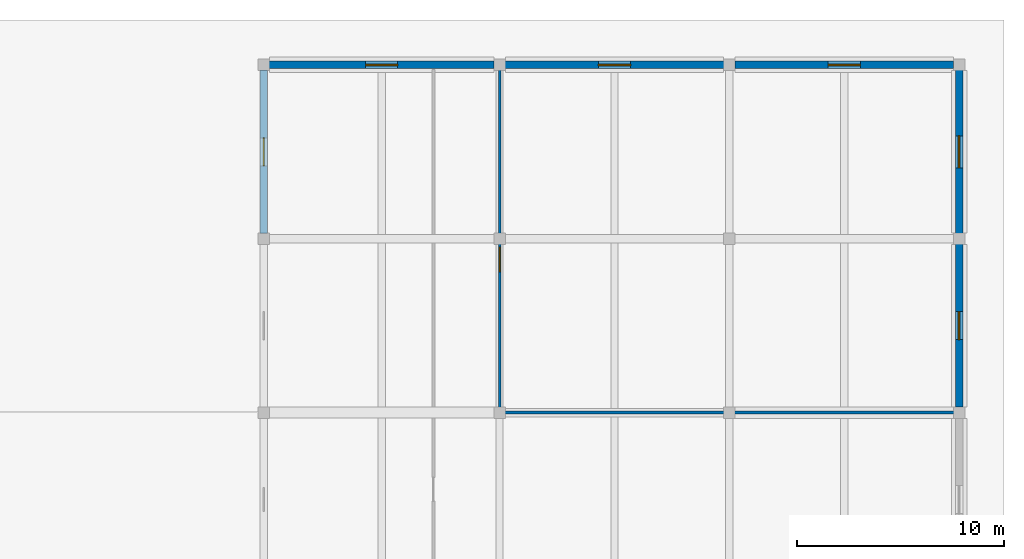
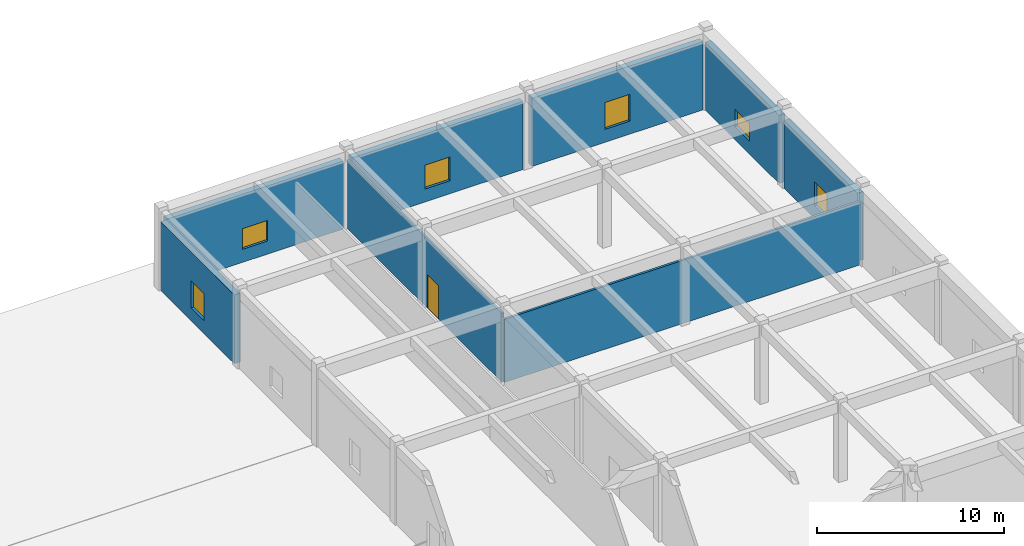
# One storey, part 58 of 70: 8 walls, 6 windows, 1 door, 7 openings.
"""IFC4 building model written with IfcOpenShell, lengths in metres."""

from ifc_helpers import new_model, si_unit, direction, frame, frame_2d, origin, place, context, subcontext, project, spatial, rectangle, extrude, material, layer, layer_set, type_object, element, fill, save


model = new_model("IFC4")

# Units and contexts
model_context = context("Model", 3, precision=1e-05, world=origin(), true_north=direction((0.0, 1.0)))
body_context = subcontext(model_context, "Body", "Model", "MODEL_VIEW")
ifc_project = project(units=[si_unit("LENGTHUNIT", "METRE"), si_unit("AREAUNIT", "SQUARE_METRE"), si_unit("VOLUMEUNIT", "CUBIC_METRE"), si_unit("PLANEANGLEUNIT", "RADIAN"), si_unit("MASSUNIT", "GRAM", prefix="KILO")], contexts=[model_context])

# Site, building, storey
site_placement = place(None, origin())
site = spatial("IfcSite", under=ifc_project, at=site_placement, CompositionType="ELEMENT")
building_placement = place(site_placement, origin())
building = spatial("IfcBuilding", under=site, at=building_placement, Name="Miralva Faculty of Natural Sciences", CompositionType="ELEMENT")
storey_placement = place(building_placement, origin())
storey = spatial("IfcBuildingStorey", under=building, at=storey_placement, Name="L00", CompositionType="ELEMENT", Elevation=0.0)

# Wall
ifc_material_1 = material(Name="Gypsum plasterboard")
ifc_layer_1 = layer(ifc_material_1, 0.139892578125, Name="WL-PT04")
ifc_layer_set_1 = layer_set([ifc_layer_1], Name="Gypsum plasterboard")
wall_type_1 = type_object("IfcWallType", Name="WL-PT04", PredefinedType="PARTITIONING", material=ifc_layer_set_1)
wall_1_placement = place(storey_placement, frame((145.22998046875, 100.199951171875, 0.0), z_axis=(0.0, 0.0, 1.0), x_axis=(1.0, 0.0, 0.0)))
element("IfcWall", 1, at=wall_1_placement, inside=storey, type_object=wall_type_1, Name="Interior partition PT-04 L00-125", PredefinedType="PARTITIONING", context=body_context, shape_type="SweptSolid", body=[
    extrude(rectangle(XDim=21.93994140625, YDim=0.139892578125, at=frame_2d((10.969970703125, 0.0))), origin(), (0.0, 0.0, 1.0), 4.125),
])

# Wall, opening, door
ifc_layer_2 = layer(ifc_material_1, 0.125, Name="WL-PT05")
ifc_layer_set_2 = layer_set([ifc_layer_2], Name="Gypsum plasterboard")
wall_type_2 = type_object("IfcWallType", Name="WL-PT05", PredefinedType="PARTITIONING", material=ifc_layer_set_2)
wall_2_placement = place(storey_placement, frame((145.199951171875, 100.22998046875, 0.0), z_axis=(0.0, 0.0, 1.0), x_axis=(0.0, 1.0, 0.0)))
wall_2 = element("IfcWall", 2, at=wall_2_placement, inside=storey, type_object=wall_type_2, Name="Interior partition PT-05 L00-90", PredefinedType="PARTITIONING", context=body_context, shape_type="SweptSolid", body=[
    extrude(rectangle(XDim=16.5400390625, YDim=0.125, at=frame_2d((8.27001953125, 0.0))), origin(), (0.0, 0.0, 1.0), 4.4951171875),
])
opening_1_placement = place(wall_2_placement, frame((6.780029296875, 0.0, 0.0)))
opening_1 = element("IfcOpeningElement", 3, at=opening_1_placement, cuts=wall_2, Name="Opening D-34", PredefinedType="OPENING", context=body_context, shape_type="SweptSolid", body=[
    extrude(rectangle(XDim=1.179931640625, YDim=2.199951171875, at=frame_2d((0.58984375, 1.10009765625))), frame((0.0, 0.072509765625, 0.0), z_axis=(0.0, -1.0, 0.0), x_axis=(1.0, 0.0, 0.0)), (0.0, 0.0, 1.0), 0.14501953125),
])
ifc_material_2 = material(Name="Anodised aluminium", Category="aluminium")
door_type = type_object("IfcDoorType", Name="DR-DI34", OperationType="NOTDEFINED", PredefinedType="DOOR", material=ifc_material_2)
door_placement = place(opening_1_placement, origin())
door = element("IfcDoor", 4, at=door_placement, inside=storey, type_object=door_type, Name="Interior door D-34 L00-46", OperationType="SINGLE_SWING_LEFT", OverallHeight=2.199951171875, OverallWidth=1.179931640625, PredefinedType="DOOR", context=body_context, shape_type="SweptSolid", body=[
    extrude(rectangle(XDim=1.179931640625, YDim=2.199951171875, at=frame_2d((0.58984375, 1.10009765625))), frame((0.0, 0.02490234375, 0.0), z_axis=(0.0, -1.0, 0.0), x_axis=(1.0, 0.0, 0.0)), (0.0, 0.0, 1.0), 0.050048828125),
])
fill(opening_1, door)

# Wall, opening, window
ifc_material_3 = material(Name="Volcanic tuff architectural stone", Category="masonry")
ifc_layer_3 = layer(ifc_material_3, 0.360107421875, Name="WL-WT01")
ifc_layer_set_3 = layer_set([ifc_layer_3], Name="Volcanic tuff architectural stone")
wall_type_3 = type_object("IfcWallType", Name="WL-WT01", PredefinedType="SOLIDWALL", material=ifc_layer_set_3)
wall_3_placement = place(storey_placement, frame((167.39990234375, 100.465087890625, 0.0), z_axis=(0.0, 0.0, 1.0), x_axis=(0.0, 1.0, 0.0)))
wall_3 = element("IfcWall", 5, at=wall_3_placement, inside=storey, type_object=wall_type_3, Name="Exterior wall L00-345", PredefinedType="SOLIDWALL", context=body_context, shape_type="SweptSolid", body=[
    extrude(rectangle(XDim=7.869873046875, YDim=0.360107421875, at=frame_2d((3.93505859375, 0.0))), origin(), (0.0, 0.0, 1.0), 4.445068359375),
])
opening_2_placement = place(wall_3_placement, frame((3.260009765625, 0.0, 0.85009765625)))
opening_2 = element("IfcOpeningElement", 6, at=opening_2_placement, cuts=wall_3, Name="Opening W-55", PredefinedType="OPENING", context=body_context, shape_type="SweptSolid", body=[
    extrude(rectangle(XDim=1.35009765625, YDim=1.550048828125, at=frame_2d((0.675048828125, 0.77490234375))), frame((0.0, 0.18994140625, 0.0), z_axis=(0.0, -1.0, 0.0), x_axis=(1.0, 0.0, 0.0)), (0.0, 0.0, 1.0), 0.380126953125),
])
ifc_material_4 = material(Name="Laminated solar-control glass", Category="glass")
window_type_1 = type_object("IfcWindowType", Name="WN-W55", PartitioningType="DOUBLE_PANEL_VERTICAL", PredefinedType="WINDOW", material=ifc_material_4)
window_1_placement = place(opening_2_placement, frame((1.35009765625, 0.0, 0.0), z_axis=(0.0, 0.0, 1.0), x_axis=(-1.0, 0.0, 0.0)))
window_1 = element("IfcWindow", 7, at=window_1_placement, inside=storey, type_object=window_type_1, Name="Window W-55 L00-269", OverallHeight=1.550048828125, OverallWidth=1.35009765625, PartitioningType="DOUBLE_PANEL_VERTICAL", PredefinedType="WINDOW", context=body_context, shape_type="SweptSolid", body=[
    extrude(rectangle(XDim=1.35009765625, YDim=1.550048828125, at=frame_2d((0.675048828125, 0.77490234375))), frame((0.0, 0.030029296875, 0.0), z_axis=(0.0, -1.0, 0.0), x_axis=(1.0, 0.0, 0.0)), (0.0, 0.0, 1.0), 0.06005859375),
])
fill(opening_2, window_1)

wall_4_placement = place(storey_placement, frame((133.800048828125, 108.85498046875, 0.0), z_axis=(0.0, 0.0, 1.0), x_axis=(0.0, 1.0, 0.0)))
wall_4 = element("IfcWall", 8, at=wall_4_placement, inside=storey, type_object=wall_type_3, Name="Exterior wall L00-346", PredefinedType="SOLIDWALL", context=body_context, shape_type="SweptSolid", body=[
    extrude(rectangle(XDim=7.89013671875, YDim=0.360107421875, at=frame_2d((3.945068359375, 0.0))), origin(), (0.0, 0.0, 1.0), 4.4951171875),
])
opening_3_placement = place(wall_4_placement, frame((3.27001953125, 0.0, 0.85009765625)))
opening_3 = element("IfcOpeningElement", 9, at=opening_3_placement, cuts=wall_4, Name="Opening W-56", PredefinedType="OPENING", context=body_context, shape_type="SweptSolid", body=[
    extrude(rectangle(XDim=1.35009765625, YDim=1.75, at=frame_2d((0.675048828125, 0.875))), frame((0.0, 0.18994140625, 0.0), z_axis=(0.0, -1.0, 0.0), x_axis=(1.0, 0.0, 0.0)), (0.0, 0.0, 1.0), 0.380126953125),
])
window_type_2 = type_object("IfcWindowType", Name="WN-W56", PartitioningType="DOUBLE_PANEL_VERTICAL", PredefinedType="WINDOW", material=ifc_material_4)
window_2_placement = place(opening_3_placement, origin())
window_2 = element("IfcWindow", 10, at=window_2_placement, inside=storey, type_object=window_type_2, Name="Window W-56 L00-270", OverallHeight=1.75, OverallWidth=1.35009765625, PartitioningType="DOUBLE_PANEL_VERTICAL", PredefinedType="WINDOW", context=body_context, shape_type="SweptSolid", body=[
    extrude(rectangle(XDim=1.35009765625, YDim=1.75, at=frame_2d((0.675048828125, 0.875))), frame((0.0, 0.030029296875, 0.0), z_axis=(0.0, -1.0, 0.0), x_axis=(1.0, 0.0, 0.0)), (0.0, 0.0, 1.0), 0.06005859375),
])
fill(opening_3, window_2)

wall_5_placement = place(storey_placement, frame((167.39990234375, 108.85498046875, 0.0), z_axis=(0.0, 0.0, 1.0), x_axis=(0.0, 1.0, 0.0)))
wall_5 = element("IfcWall", 11, at=wall_5_placement, inside=storey, type_object=wall_type_3, Name="Exterior wall L00-347", PredefinedType="SOLIDWALL", context=body_context, shape_type="SweptSolid", body=[
    extrude(rectangle(XDim=7.89013671875, YDim=0.360107421875, at=frame_2d((3.945068359375, 0.0))), origin(), (0.0, 0.0, 1.0), 4.445068359375),
])
opening_4_placement = place(wall_5_placement, frame((3.169921875, 0.0, 0.85009765625)))
opening_4 = element("IfcOpeningElement", 12, at=opening_4_placement, cuts=wall_5, Name="Opening W-57", PredefinedType="OPENING", context=body_context, shape_type="SweptSolid", body=[
    extrude(rectangle(XDim=1.550048828125, YDim=1.14990234375, at=frame_2d((0.77490234375, 0.574951171875))), frame((0.0, 0.18994140625, 0.0), z_axis=(0.0, -1.0, 0.0), x_axis=(1.0, 0.0, 0.0)), (0.0, 0.0, 1.0), 0.380126953125),
])
window_type_3 = type_object("IfcWindowType", Name="WN-W57", PartitioningType="DOUBLE_PANEL_VERTICAL", PredefinedType="WINDOW", material=ifc_material_4)
window_3_placement = place(opening_4_placement, frame((1.550048828125, 0.0, 0.0), z_axis=(0.0, 0.0, 1.0), x_axis=(-1.0, 0.0, 0.0)))
window_3 = element("IfcWindow", 13, at=window_3_placement, inside=storey, type_object=window_type_3, Name="Window W-57 L00-271", OverallHeight=1.14990234375, OverallWidth=1.550048828125, PartitioningType="DOUBLE_PANEL_VERTICAL", PredefinedType="WINDOW", context=body_context, shape_type="SweptSolid", body=[
    extrude(rectangle(XDim=1.550048828125, YDim=1.14990234375, at=frame_2d((0.77490234375, 0.574951171875))), frame((0.0, 0.030029296875, 0.0), z_axis=(0.0, -1.0, 0.0), x_axis=(1.0, 0.0, 0.0)), (0.0, 0.0, 1.0), 0.06005859375),
])
fill(opening_4, window_3)

wall_6_placement = place(storey_placement, frame((134.06494140625, 117.0, 0.0), z_axis=(0.0, 0.0, 1.0), x_axis=(1.0, 0.0, 0.0)))
wall_6 = element("IfcWall", 14, at=wall_6_placement, inside=storey, type_object=wall_type_3, Name="Exterior wall L00-348", PredefinedType="SOLIDWALL", context=body_context, shape_type="SweptSolid", body=[
    extrude(rectangle(XDim=10.8701171875, YDim=0.360107421875, at=frame_2d((5.43505859375, 0.0))), origin(), (0.0, 0.0, 1.0), 4.445068359375),
])
opening_5_placement = place(wall_6_placement, frame((4.659912109375, 0.0, 0.85009765625)))
opening_5 = element("IfcOpeningElement", 15, at=opening_5_placement, cuts=wall_6, Name="Opening W-58", PredefinedType="OPENING", context=body_context, shape_type="SweptSolid", body=[
    extrude(rectangle(XDim=1.550048828125, YDim=1.35009765625, at=frame_2d((0.77490234375, 0.675048828125))), frame((0.0, 0.18994140625, 0.0), z_axis=(0.0, -1.0, 0.0), x_axis=(1.0, 0.0, 0.0)), (0.0, 0.0, 1.0), 0.380126953125),
])
window_type_4 = type_object("IfcWindowType", Name="WN-W58", PartitioningType="DOUBLE_PANEL_VERTICAL", PredefinedType="WINDOW", material=ifc_material_4)
window_4_placement = place(opening_5_placement, origin())
window_4 = element("IfcWindow", 16, at=window_4_placement, inside=storey, type_object=window_type_4, Name="Window W-58 L00-272", OverallHeight=1.35009765625, OverallWidth=1.550048828125, PartitioningType="DOUBLE_PANEL_VERTICAL", PredefinedType="WINDOW", context=body_context, shape_type="SweptSolid", body=[
    extrude(rectangle(XDim=1.550048828125, YDim=1.35009765625, at=frame_2d((0.77490234375, 0.675048828125))), frame((0.0, 0.030029296875, 0.0), z_axis=(0.0, -1.0, 0.0), x_axis=(1.0, 0.0, 0.0)), (0.0, 0.0, 1.0), 0.06005859375),
])
fill(opening_5, window_4)

wall_7_placement = place(storey_placement, frame((145.465087890625, 117.0, 0.0), z_axis=(0.0, 0.0, 1.0), x_axis=(1.0, 0.0, 0.0)))
wall_7 = element("IfcWall", 17, at=wall_7_placement, inside=storey, type_object=wall_type_3, Name="Exterior wall L00-349", PredefinedType="SOLIDWALL", context=body_context, shape_type="SweptSolid", body=[
    extrude(rectangle(XDim=10.56982421875, YDim=0.360107421875, at=frame_2d((5.284912109375, 0.0))), origin(), (0.0, 0.0, 1.0), 4.445068359375),
])
opening_6_placement = place(wall_7_placement, frame((4.510009765625, 0.0, 0.85009765625)))
opening_6 = element("IfcOpeningElement", 18, at=opening_6_placement, cuts=wall_7, Name="Opening W-59", PredefinedType="OPENING", context=body_context, shape_type="SweptSolid", body=[
    extrude(rectangle(XDim=1.550048828125, YDim=1.550048828125, at=frame_2d((0.77490234375, 0.77490234375))), frame((0.0, 0.18994140625, 0.0), z_axis=(0.0, -1.0, 0.0), x_axis=(1.0, 0.0, 0.0)), (0.0, 0.0, 1.0), 0.380126953125),
])
window_type_5 = type_object("IfcWindowType", Name="WN-W59", PartitioningType="DOUBLE_PANEL_VERTICAL", PredefinedType="WINDOW", material=ifc_material_4)
window_5_placement = place(opening_6_placement, origin())
window_5 = element("IfcWindow", 19, at=window_5_placement, inside=storey, type_object=window_type_5, Name="Window W-59 L00-273", OverallHeight=1.550048828125, OverallWidth=1.550048828125, PartitioningType="DOUBLE_PANEL_VERTICAL", PredefinedType="WINDOW", context=body_context, shape_type="SweptSolid", body=[
    extrude(rectangle(XDim=1.550048828125, YDim=1.550048828125, at=frame_2d((0.77490234375, 0.77490234375))), frame((0.0, 0.030029296875, 0.0), z_axis=(0.0, -1.0, 0.0), x_axis=(1.0, 0.0, 0.0)), (0.0, 0.0, 1.0), 0.06005859375),
])
fill(opening_6, window_5)

wall_8_placement = place(storey_placement, frame((156.56494140625, 117.0, 0.0), z_axis=(0.0, 0.0, 1.0), x_axis=(1.0, 0.0, 0.0)))
wall_8 = element("IfcWall", 20, at=wall_8_placement, inside=storey, type_object=wall_type_3, Name="Exterior wall L00-350", PredefinedType="SOLIDWALL", context=body_context, shape_type="SweptSolid", body=[
    extrude(rectangle(XDim=10.570068359375, YDim=0.360107421875, at=frame_2d((5.28515625, 0.0))), origin(), (0.0, 0.0, 1.0), 4.445068359375),
])
opening_7_placement = place(wall_8_placement, frame((4.510009765625, 0.0, 0.85009765625)))
opening_7 = element("IfcOpeningElement", 21, at=opening_7_placement, cuts=wall_8, Name="Opening W-60", PredefinedType="OPENING", context=body_context, shape_type="SweptSolid", body=[
    extrude(rectangle(XDim=1.550048828125, YDim=1.75, at=frame_2d((0.77490234375, 0.875))), frame((0.0, 0.18994140625, 0.0), z_axis=(0.0, -1.0, 0.0), x_axis=(1.0, 0.0, 0.0)), (0.0, 0.0, 1.0), 0.380126953125),
])
window_type_6 = type_object("IfcWindowType", Name="WN-W60", PartitioningType="DOUBLE_PANEL_VERTICAL", PredefinedType="WINDOW", material=ifc_material_4)
window_6_placement = place(opening_7_placement, origin())
window_6 = element("IfcWindow", 22, at=window_6_placement, inside=storey, type_object=window_type_6, Name="Window W-60 L00-274", OverallHeight=1.75, OverallWidth=1.550048828125, PartitioningType="DOUBLE_PANEL_VERTICAL", PredefinedType="WINDOW", context=body_context, shape_type="SweptSolid", body=[
    extrude(rectangle(XDim=1.550048828125, YDim=1.75, at=frame_2d((0.77490234375, 0.875))), frame((0.0, 0.030029296875, 0.0), z_axis=(0.0, -1.0, 0.0), x_axis=(1.0, 0.0, 0.0)), (0.0, 0.0, 1.0), 0.06005859375),
])
fill(opening_7, window_6)

save(model, "model.ifc")
